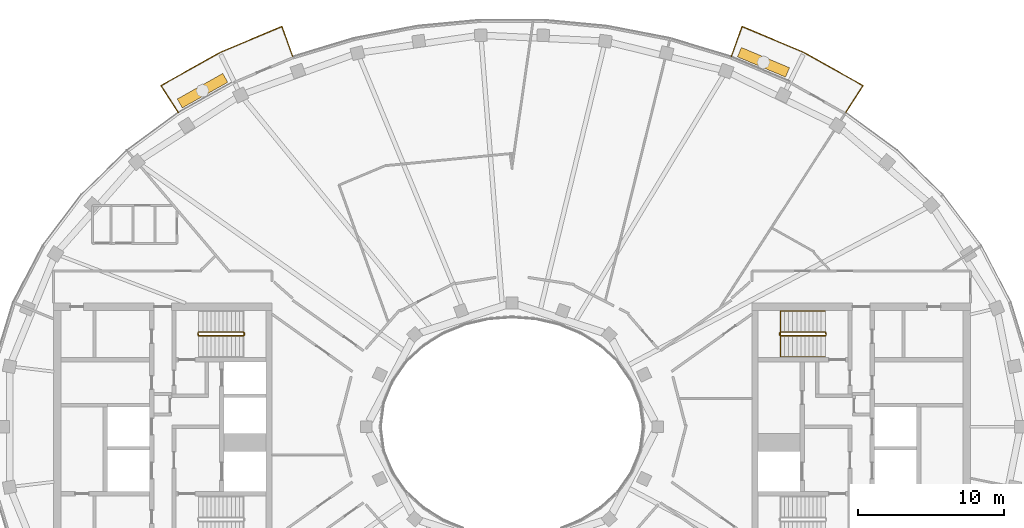
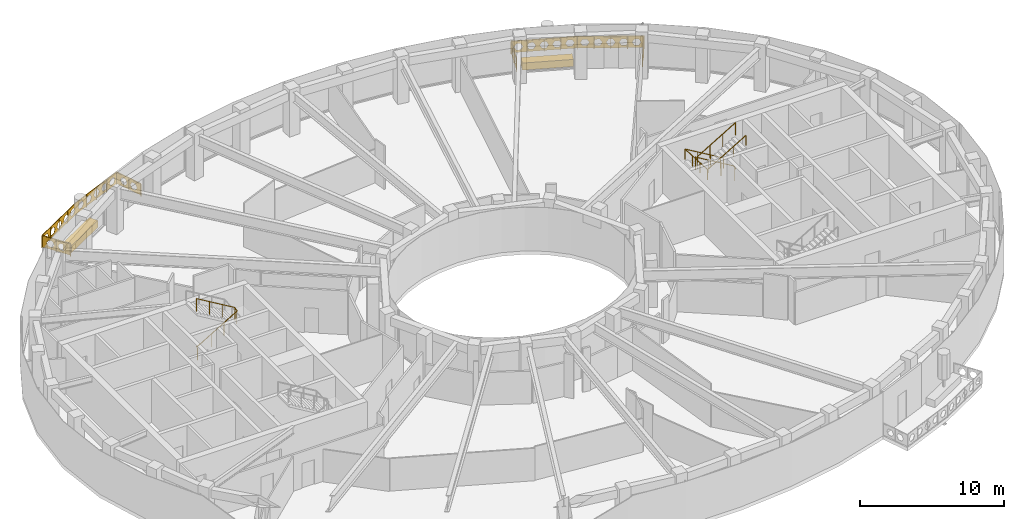
# One storey, part 17 of 18: 5 railings, 2 coverings.
"""IFC4 building model written with IfcOpenShell, lengths in metres."""

import ifcopenshell
import ifcopenshell.guid

model = None  # the IFC model being written
_history = None  # IfcOwnerHistory: only IFC2X3 demands one
_inside = {}  # id of a spatial element -> (the spatial element, [elements in it])
_under = {}  # id of a project, library or spatial element -> (it, [spatial elements below it])
_declared = {}  # id of a project -> (the project, [libraries it declares])
_typed = {}  # id of a type object -> (the type object, [elements of that type])
_made_of = {}  # id of a material, layer set ... -> (it, [elements and type objects made of it])


def new_model(schema):
    """Start an empty IFC model of exactly this schema.

    Asked for "IFC4X3", IfcOpenShell would pick the latest addendum, in which some entities
    have other attributes; the version numbers below select the first issue.
    IFC2X3 requires an IfcOwnerHistory on every rooted entity: one is made here for all.
    """
    global model, _history
    if schema == "IFC4X3":
        model = ifcopenshell.file(schema_version=(4, 3, 0, 0))
    else:
        model = ifcopenshell.file(schema=schema)
    _inside.clear()
    _under.clear()
    _declared.clear()
    _typed.clear()
    _made_of.clear()
    _history = None
    if model.schema == "IFC2X3":
        org = make("IfcOrganization", Name="unknown")
        user = make(
            "IfcPersonAndOrganization",
            ThePerson=make("IfcPerson", FamilyName="unknown"),
            TheOrganization=org,
        )
        app = make(
            "IfcApplication",
            ApplicationDeveloper=org,
            Version="unknown",
            ApplicationFullName="unknown",
            ApplicationIdentifier="unknown",
        )
        _history = make(
            "IfcOwnerHistory",
            OwningUser=user,
            OwningApplication=app,
            ChangeAction="ADDED",
            CreationDate=0,
        )
    return model


def make(cls, **values):
    """One entity of the class cls with the attributes given. An attribute that is None is left unset."""
    return model.create_entity(
        cls, **{name: value for name, value in values.items() if value is not None}
    )


def rooted(cls, **values):
    """An entity with a GlobalId (a new one), such as an element, a storey or a relation."""
    return make(cls, GlobalId=ifcopenshell.guid.new(), OwnerHistory=_history, **values)


def si_unit(unit_type, name, prefix=None):
    """IfcSIUnit, for example si_unit("LENGTHUNIT", "METRE", prefix="MILLI")."""
    return make("IfcSIUnit", UnitType=unit_type, Prefix=prefix, Name=name)


def assignment(units):
    """IfcUnitAssignment: the units of a project."""
    return None if units is None else make("IfcUnitAssignment", Units=units)


def point(xyz):
    """IfcCartesianPoint."""
    return None if xyz is None else make("IfcCartesianPoint", Coordinates=xyz)


def direction(xyz):
    """IfcDirection."""
    return None if xyz is None else make("IfcDirection", DirectionRatios=xyz)


def frame(location, z_axis=None, x_axis=None):
    """IfcAxis2Placement3D, a coordinate frame: its origin and axes. An axis left out is left unset."""
    return make(
        "IfcAxis2Placement3D",
        Location=point(location),
        Axis=direction(z_axis),
        RefDirection=direction(x_axis),
    )


def frame_2d(location, x_axis=None):
    """IfcAxis2Placement2D, a coordinate frame in the plane: its origin and x axis."""
    return make(
        "IfcAxis2Placement2D", Location=point(location), RefDirection=direction(x_axis)
    )


def origin():
    """The frame at (0, 0, 0) with its axes left unset."""
    return frame((0.0, 0.0, 0.0))


def origin_2d():
    """The frame at (0, 0) in the plane with its x axis left unset."""
    return frame_2d((0.0, 0.0))


def place(relative_to, where):
    """IfcLocalPlacement: puts the frame where relative to a parent placement (None: the world)."""
    return make(
        "IfcLocalPlacement", PlacementRelTo=relative_to, RelativePlacement=where
    )


def context(
    kind, dimensions, precision=None, world=None, true_north=None, identifier=None
):
    """IfcGeometricRepresentationContext, for example the 3D "Model" context."""
    return make(
        "IfcGeometricRepresentationContext",
        ContextIdentifier=identifier,
        ContextType=kind,
        CoordinateSpaceDimension=dimensions,
        Precision=precision,
        WorldCoordinateSystem=world,
        TrueNorth=true_north,
    )


def subcontext(parent, identifier, kind, view, scale=None):
    """IfcGeometricRepresentationSubContext, for example "Body" below "Model"."""
    return make(
        "IfcGeometricRepresentationSubContext",
        ContextIdentifier=identifier,
        ContextType=kind,
        ParentContext=parent,
        TargetScale=scale,
        TargetView=view,
    )


def project(units=None, contexts=None):
    """IfcProject with its units and contexts."""
    return rooted(
        "IfcProject",
        Name="project",
        RepresentationContexts=contexts,
        UnitsInContext=assignment(units),
    )


def spatial(cls, under=None, at=None, **own):
    """A site, building, storey or space (cls), placed at a placement, below another one or the project."""
    s = rooted(cls, ObjectPlacement=at, **own)
    if under is not None:
        _under.setdefault(under.id(), (under, []))[1].append(s)
    return s


def polyline(points):
    """IfcPolyline through the points."""
    return make("IfcPolyline", Points=[point(p) for p in points])


def profile(cls, at=None, kind="AREA", **sizes):
    """A parametric profile (cls). Its sizes go by their IFC names, for example OverallWidth=200.0."""
    return make(cls, ProfileType=kind, Position=at, **sizes)


def rectangle(**sizes):
    """IfcRectangleProfileDef."""
    return profile("IfcRectangleProfileDef", **sizes)


def outline(outer, holes=None, kind="AREA"):
    """IfcArbitraryClosedProfileDef: a profile drawn as a closed curve; with holes, ...WithVoids."""
    if holes is None:
        return make("IfcArbitraryClosedProfileDef", ProfileType=kind, OuterCurve=outer)
    return make(
        "IfcArbitraryProfileDefWithVoids",
        ProfileType=kind,
        OuterCurve=outer,
        InnerCurves=holes,
    )


def extrude(swept, where, along, depth):
    """IfcExtrudedAreaSolid: the profile swept, set in the frame where, extruded along a direction by depth."""
    return make(
        "IfcExtrudedAreaSolid",
        SweptArea=swept,
        Position=where,
        ExtrudedDirection=direction(along),
        Depth=depth,
    )


def shape(context_of_items, identifier, shape_type, items):
    """IfcShapeRepresentation: the items that make up one representation, for example the "Body"."""
    return make(
        "IfcShapeRepresentation",
        ContextOfItems=context_of_items,
        RepresentationIdentifier=identifier,
        RepresentationType=shape_type,
        Items=items,
    )


def material(Name=None, Category=None):
    """IfcMaterial."""
    return make("IfcMaterial", Name=Name, Category=Category)


def made_of(thing, what):
    """Note that an element or type object is made of a material, layer set ...; save() writes the relation."""
    if what is not None:
        _made_of.setdefault(what.id(), (what, []))[1].append(thing)
    return thing


def type_object(cls, material=None, **own):
    """A type object (cls), such as IfcWallType, which elements share."""
    return made_of(rooted(cls, **own), material)


def element(
    cls,
    number,
    at=None,
    inside=None,
    cuts=None,
    type_object=None,
    material=None,
    context=None,
    identifier="Body",
    shape_type=None,
    held_by="IfcProductDefinitionShape",
    body=None,
    shapes=None,
    **own,
):
    """One element of the class cls, such as IfcWall. Its Tag is "e" and its number.

    at: its placement. inside: the storey or other place that contains it. cuts: it is an
    opening in that element (IfcRelVoidsElement). A single representation is given by context,
    identifier, shape_type and body (its items); several are given by shapes. held_by: the class
    of the entity that holds the representations. save() writes the other relations.
    """
    e = rooted(cls, Tag="e%d" % number, ObjectPlacement=at, **own)
    if body is not None:
        shapes = [shape(context, identifier, shape_type, body)]
    if shapes is not None:
        e.Representation = make(held_by, Representations=shapes)
    if inside is not None:
        _inside.setdefault(inside.id(), (inside, []))[1].append(e)
    if cuts is not None:
        rooted(
            "IfcRelVoidsElement", RelatingBuildingElement=cuts, RelatedOpeningElement=e
        )
    if type_object is not None:
        _typed.setdefault(type_object.id(), (type_object, []))[1].append(e)
    return made_of(e, material)


def aggregate(whole, parts):
    """IfcRelAggregates: a whole, such as a stair, and the parts it consists of."""
    return rooted("IfcRelAggregates", RelatingObject=whole, RelatedObjects=parts)


def save(model, path):
    """Write the relations noted so far, then the file.

    IfcRelAggregates (storeys below a building ...), IfcRelContainedInSpatialStructure (elements
    in a storey), IfcRelDefinesByType, IfcRelAssociatesMaterial and IfcRelDeclares: one each for
    every whole, place, type object, material and project.
    """
    for whole, parts in _under.values():
        aggregate(whole, parts)
    for where, things in _inside.values():
        rooted(
            "IfcRelContainedInSpatialStructure",
            RelatedElements=things,
            RelatingStructure=where,
        )
    for kind, things in _typed.values():
        rooted("IfcRelDefinesByType", RelatedObjects=things, RelatingType=kind)
    for what, things in _made_of.values():
        rooted("IfcRelAssociatesMaterial", RelatedObjects=things, RelatingMaterial=what)
    for by, libraries in _declared.values():
        rooted("IfcRelDeclares", RelatingContext=by, RelatedDefinitions=libraries)
    model.write(path)


model = new_model("IFC4")

# Units and contexts
model_context = context("Model", 3, precision=1e-05, world=origin(), true_north=direction((0.0, 1.0)))
body_context = subcontext(model_context, "Body", "Model", "MODEL_VIEW")
ifc_project = project(units=[si_unit("LENGTHUNIT", "METRE"), si_unit("AREAUNIT", "SQUARE_METRE"), si_unit("VOLUMEUNIT", "CUBIC_METRE"), si_unit("PLANEANGLEUNIT", "RADIAN"), si_unit("MASSUNIT", "GRAM", prefix="KILO")], contexts=[model_context])

# Site, building, storey
site_placement = place(None, origin())
site = spatial("IfcSite", under=ifc_project, at=site_placement, CompositionType="ELEMENT")
building_placement = place(site_placement, origin())
building = spatial("IfcBuilding", under=site, at=building_placement, Name="Noorbagh Ring Tower", CompositionType="ELEMENT")
storey_placement = place(building_placement, frame((0.0, 0.0, 319.0)))
storey = spatial("IfcBuildingStorey", under=building, at=storey_placement, Name="L69", CompositionType="ELEMENT", Elevation=319.0)

# Railings
ifc_material_1 = material(Name="Stainless steel", Category="steel")
railing_type_1 = type_object("IfcRailingType", Name="CORE-STAIR-GUARD", PredefinedType="GUARDRAIL", material=ifc_material_1)
railing_1_placement = place(storey_placement, frame((-21.580078125, 6.300048828125, 0.0)))
element("IfcRailing", 1, at=railing_1_placement, inside=storey, type_object=railing_type_1, Name="L69 ST1 stair guard", PredefinedType="GUARDRAIL", context=body_context, shape_type="SweptSolid", body=[
    extrude(rectangle(XDim=0.048095703125, YDim=0.048095703125, at=origin_2d()), frame((0.0, 0.0, 1.076171875), z_axis=(0.0, 1.0, 0.0), x_axis=(-1.0, 0.0, 0.0)), (0.0, 0.0, 1.0), 0.14990234375),
    extrude(rectangle(XDim=0.048095703125, YDim=0.048095703125, at=origin_2d()), frame((0.0, 0.14990234375, 1.076171875), z_axis=(0.188775798145, -0.754182335027, 0.628945707965), x_axis=(0.970072785993, 0.242814311512, 0.0)), (0.0, 0.0, 1.0), 0.26513671875),
    extrude(rectangle(XDim=0.048095703125, YDim=0.048095703125, at=origin_2d()), frame((0.050048828125, -0.050048828125, 1.24267578125), z_axis=(0.859308565015, 0.0, 0.511457515432), x_axis=(0.0, 1.0, 0.0)), (0.0, 0.0, 1.0), 3.58447265625),
    extrude(rectangle(XDim=0.048095703125, YDim=0.048095703125, at=origin_2d()), frame((3.130126953125, -0.050048828125, 3.076171875), z_axis=(0.707106781187, 0.707106781187, 0.0), x_axis=(-0.707106781187, 0.707106781187, 0.0)), (0.0, 0.0, 1.0), 0.07080078125),
    extrude(rectangle(XDim=0.048095703125, YDim=0.048095703125, at=origin_2d()), frame((3.18017578125, 0.0, 3.076171875), z_axis=(0.0, 1.0, 0.0), x_axis=(-1.0, 0.0, 0.0)), (0.0, 0.0, 1.0), 0.14990234375),
    extrude(rectangle(XDim=0.048095703125, YDim=0.048095703125, at=origin_2d()), frame((3.18017578125, 0.14990234375, 3.076171875), z_axis=(-0.27628659633, 0.27628659633, 0.920506074601), x_axis=(-0.707106781187, -0.707106781187, 0.0)), (0.0, 0.0, 1.0), 0.18115234375),
    extrude(rectangle(XDim=0.048095703125, YDim=0.048095703125, at=origin_2d()), frame((3.130126953125, 0.199951171875, 3.24267578125), z_axis=(-0.859308565015, 0.0, 0.511457515432), x_axis=(0.0, -1.0, 0.0)), (0.0, 0.0, 1.0), 3.58447265625),
    extrude(rectangle(XDim=0.0419921875, YDim=0.0419921875, at=origin_2d()), origin(), (0.0, 0.0, 1.0), 1.052001953125),
    extrude(rectangle(XDim=0.0419921875, YDim=0.0419921875, at=origin_2d()), frame((1.07666015625, -0.050048828125, 0.77783203125)), (0.0, 0.0, 1.0), 1.052001953125),
    extrude(rectangle(XDim=0.0419921875, YDim=0.0419921875, at=origin_2d()), frame((2.103515625, -0.050048828125, 1.388916015625)), (0.0, 0.0, 1.0), 1.052001953125),
    extrude(rectangle(XDim=0.0419921875, YDim=0.0419921875, at=origin_2d()), frame((3.130126953125, -0.050048828125, 2.0)), (0.0, 0.0, 1.0), 1.052001953125),
    extrude(rectangle(XDim=0.0419921875, YDim=0.0419921875, at=origin_2d()), frame((3.130126953125, 0.199951171875, 2.166748046875)), (0.0, 0.0, 1.0), 1.052001953125),
    extrude(rectangle(XDim=0.0419921875, YDim=0.0419921875, at=origin_2d()), frame((2.103515625, 0.199951171875, 2.77783203125)), (0.0, 0.0, 1.0), 1.052001953125),
    extrude(rectangle(XDim=0.0419921875, YDim=0.0419921875, at=origin_2d()), frame((1.07666015625, 0.199951171875, 3.388916015625)), (0.0, 0.0, 1.0), 1.052001953125),
    extrude(rectangle(XDim=0.0419921875, YDim=0.0419921875, at=origin_2d()), frame((0.050048828125, 0.199951171875, 4.0)), (0.0, 0.0, 1.0), 1.052001953125),
])
railing_2_placement = place(storey_placement, frame((21.580078125, 6.449951171875, 0.0)))
element("IfcRailing", 2, at=railing_2_placement, inside=storey, type_object=railing_type_1, Name="L69 ST3 stair guard", PredefinedType="GUARDRAIL", context=body_context, shape_type="SweptSolid", body=[
    extrude(rectangle(XDim=0.048095703125, YDim=0.048095703125, at=origin_2d()), frame((0.0, 0.0, 1.076171875), z_axis=(0.0, -1.0, 0.0), x_axis=(1.0, 0.0, 0.0)), (0.0, 0.0, 1.0), 0.14990234375),
    extrude(rectangle(XDim=0.048095703125, YDim=0.048095703125, at=origin_2d()), frame((0.0, -0.14990234375, 1.076171875), z_axis=(-0.188775798145, 0.754182335027, 0.628945707965), x_axis=(-0.970072785993, -0.242814311512, 0.0)), (0.0, 0.0, 1.0), 0.26513671875),
    extrude(rectangle(XDim=0.048095703125, YDim=0.048095703125, at=origin_2d()), frame((-0.050048828125, 0.050048828125, 1.24267578125), z_axis=(-0.859308565015, 0.0, 0.511457515432), x_axis=(0.0, -1.0, 0.0)), (0.0, 0.0, 1.0), 3.58447265625),
    extrude(rectangle(XDim=0.048095703125, YDim=0.048095703125, at=origin_2d()), frame((-3.130126953125, 0.050048828125, 3.076171875), z_axis=(-0.707106781187, -0.707106781187, 0.0), x_axis=(0.707106781187, -0.707106781187, 0.0)), (0.0, 0.0, 1.0), 0.07080078125),
    extrude(rectangle(XDim=0.048095703125, YDim=0.048095703125, at=origin_2d()), frame((-3.18017578125, 0.0, 3.076171875), z_axis=(0.0, -1.0, 0.0), x_axis=(1.0, 0.0, 0.0)), (0.0, 0.0, 1.0), 0.14990234375),
    extrude(rectangle(XDim=0.048095703125, YDim=0.048095703125, at=origin_2d()), frame((-3.18017578125, -0.14990234375, 3.076171875), z_axis=(0.27628659633, -0.27628659633, 0.920506074601), x_axis=(0.707106781187, 0.707106781187, 0.0)), (0.0, 0.0, 1.0), 0.18115234375),
    extrude(rectangle(XDim=0.048095703125, YDim=0.048095703125, at=origin_2d()), frame((-3.130126953125, -0.199951171875, 3.24267578125), z_axis=(0.859308565015, 0.0, 0.511457515432), x_axis=(0.0, 1.0, 0.0)), (0.0, 0.0, 1.0), 3.58447265625),
    extrude(rectangle(XDim=0.0419921875, YDim=0.0419921875, at=origin_2d()), origin(), (0.0, 0.0, 1.0), 1.052001953125),
    extrude(rectangle(XDim=0.0419921875, YDim=0.0419921875, at=origin_2d()), frame((-1.07666015625, 0.050048828125, 0.77783203125)), (0.0, 0.0, 1.0), 1.052001953125),
    extrude(rectangle(XDim=0.0419921875, YDim=0.0419921875, at=origin_2d()), frame((-2.103515625, 0.050048828125, 1.388916015625)), (0.0, 0.0, 1.0), 1.052001953125),
    extrude(rectangle(XDim=0.0419921875, YDim=0.0419921875, at=origin_2d()), frame((-3.130126953125, 0.050048828125, 2.0)), (0.0, 0.0, 1.0), 1.052001953125),
    extrude(rectangle(XDim=0.0419921875, YDim=0.0419921875, at=origin_2d()), frame((-3.130126953125, -0.199951171875, 2.166748046875)), (0.0, 0.0, 1.0), 1.052001953125),
    extrude(rectangle(XDim=0.0419921875, YDim=0.0419921875, at=origin_2d()), frame((-2.103515625, -0.199951171875, 2.77783203125)), (0.0, 0.0, 1.0), 1.052001953125),
    extrude(rectangle(XDim=0.0419921875, YDim=0.0419921875, at=origin_2d()), frame((-1.07666015625, -0.199951171875, 3.388916015625)), (0.0, 0.0, 1.0), 1.052001953125),
    extrude(rectangle(XDim=0.0419921875, YDim=0.0419921875, at=origin_2d()), frame((-0.050048828125, -0.199951171875, 4.0)), (0.0, 0.0, 1.0), 1.052001953125),
])
ifc_material_2 = material(Name="Stainless steel", Category="steel")
railing_type_2 = type_object("IfcRailingType", Name="CORE-STAIR-HANDRAIL", PredefinedType="HANDRAIL", material=ifc_material_2)
railing_3_placement = place(storey_placement, frame((21.530029296875, 7.949951171875, 0.166748046875)))
element("IfcRailing", 3, at=railing_3_placement, inside=storey, type_object=railing_type_2, Name="L69 ST3 stair handrail", PredefinedType="HANDRAIL", context=body_context, shape_type="SweptSolid", body=[
    extrude(rectangle(XDim=0.048095703125, YDim=0.048095703125, at=origin_2d()), frame((0.0, 0.0, 0.8759765625), z_axis=(-0.859308565015, 0.0, 0.511457515432), x_axis=(0.0, -1.0, 0.0)), (0.0, 0.0, 1.0), 3.58447265625),
    extrude(rectangle(XDim=0.048095703125, YDim=0.048095703125, at=origin_2d()), frame((-3.080078125, 0.0, 2.708984375), z_axis=(0.0, -0.998601747152, 0.052863509014), x_axis=(1.0, 0.0, 0.0)), (0.0, 0.0, 1.0), 3.154296875),
    extrude(rectangle(XDim=0.048095703125, YDim=0.048095703125, at=origin_2d()), frame((-3.080078125, -3.14990234375, 2.8759765625), z_axis=(0.859308565015, 0.0, 0.511457515432), x_axis=(0.0, 1.0, 0.0)), (0.0, 0.0, 1.0), 3.58447265625),
    extrude(rectangle(XDim=0.0419921875, YDim=0.0419921875, at=origin_2d()), origin(), (0.0, 0.0, 1.0), 0.851806640625),
    extrude(rectangle(XDim=0.0419921875, YDim=0.0419921875, at=origin_2d()), frame((-1.026611328125, 0.0, 0.611083984375)), (0.0, 0.0, 1.0), 0.851806640625),
    extrude(rectangle(XDim=0.0419921875, YDim=0.0419921875, at=origin_2d()), frame((-2.053466796875, 0.0, 1.22216796875)), (0.0, 0.0, 1.0), 0.851806640625),
    extrude(rectangle(XDim=0.0419921875, YDim=0.0419921875, at=origin_2d()), frame((-3.080078125, 0.0, 1.833251953125)), (0.0, 0.0, 1.0), 0.851806640625),
    extrude(rectangle(XDim=0.0419921875, YDim=0.0419921875, at=origin_2d()), frame((-3.080078125, -1.050048828125, 1.888916015625)), (0.0, 0.0, 1.0), 0.851806640625),
    extrude(rectangle(XDim=0.0419921875, YDim=0.0419921875, at=origin_2d()), frame((-3.080078125, -2.099853515625, 1.9443359375)), (0.0, 0.0, 1.0), 0.851806640625),
    extrude(rectangle(XDim=0.0419921875, YDim=0.0419921875, at=origin_2d()), frame((-3.080078125, -3.14990234375, 2.0)), (0.0, 0.0, 1.0), 0.851806640625),
    extrude(rectangle(XDim=0.0419921875, YDim=0.0419921875, at=origin_2d()), frame((-2.053466796875, -3.14990234375, 2.611083984375)), (0.0, 0.0, 1.0), 0.851806640625),
    extrude(rectangle(XDim=0.0419921875, YDim=0.0419921875, at=origin_2d()), frame((-1.026611328125, -3.14990234375, 3.22216796875)), (0.0, 0.0, 1.0), 0.851806640625),
    extrude(rectangle(XDim=0.0419921875, YDim=0.0419921875, at=origin_2d()), frame((0.0, -3.14990234375, 3.833251953125)), (0.0, 0.0, 1.0), 0.851806640625),
])
ifc_material_3 = material(Name="Steel S275 black powder-coated", Category="steel")
railing_type_3 = type_object("IfcRailingType", Name="ENV-GUARD", PredefinedType="GUARDRAIL", material=ifc_material_3)
railing_4_placement = place(storey_placement, frame((22.9326171875, 21.583740234375, 0.0)))
element("IfcRailing", 4, at=railing_4_placement, inside=storey, type_object=railing_type_3, Name="Balcony guard BN02", PredefinedType="GUARDRAIL", context=body_context, shape_type="SweptSolid", body=[
    extrude(rectangle(XDim=0.048095703125, YDim=0.048095703125, at=origin_2d()), frame((0.0, 0.0, 1.076171875), z_axis=(0.542268136821, 0.840205491406, 0.0), x_axis=(-0.840205491406, 0.542268136821, 0.0)), (0.0, 0.0, 1.0), 2.204345703125),
    extrude(rectangle(XDim=0.048095703125, YDim=0.048095703125, at=origin_2d()), frame((1.1953125, 1.85205078125, 1.076171875), z_axis=(-0.872052247658, 0.489412788303, 0.0), x_axis=(-0.489412788303, -0.872052247658, 0.0)), (0.0, 0.0, 1.0), 4.646240234375),
    extrude(rectangle(XDim=0.048095703125, YDim=0.048095703125, at=origin_2d()), frame((-2.8564453125, 4.1259765625, 1.076171875), z_axis=(-0.921809087722, 0.387644174203, 0.0), x_axis=(-0.387644174203, -0.921809087722, 0.0)), (0.0, 0.0, 1.0), 4.627197265625),
    extrude(rectangle(XDim=0.048095703125, YDim=0.048095703125, at=origin_2d()), frame((-7.121826171875, 5.919677734375, 1.076171875), z_axis=(-0.338350546839, -0.941020141896, 0.0), x_axis=(0.941020141896, -0.338350546839, 0.0)), (0.0, 0.0, 1.0), 2.202880859375),
    extrude(rectangle(XDim=0.0419921875, YDim=0.0419921875, at=origin_2d()), origin(), (0.0, 0.0, 1.0), 1.052001953125),
    extrude(rectangle(XDim=0.0419921875, YDim=0.0419921875, at=origin_2d()), frame((0.59765625, 0.926025390625, 0.0)), (0.0, 0.0, 1.0), 1.052001953125),
    extrude(rectangle(XDim=0.0419921875, YDim=0.0419921875, at=origin_2d()), frame((1.1953125, 1.85205078125, 0.0)), (0.0, 0.0, 1.0), 1.052001953125),
    extrude(rectangle(XDim=0.0419921875, YDim=0.0419921875, at=origin_2d()), frame((0.182373046875, 2.42041015625, 0.0)), (0.0, 0.0, 1.0), 1.052001953125),
    extrude(rectangle(XDim=0.0419921875, YDim=0.0419921875, at=origin_2d()), frame((-0.83056640625, 2.989013671875, 0.0)), (0.0, 0.0, 1.0), 1.052001953125),
    extrude(rectangle(XDim=0.0419921875, YDim=0.0419921875, at=origin_2d()), frame((-1.843505859375, 3.5576171875, 0.0)), (0.0, 0.0, 1.0), 1.052001953125),
    extrude(rectangle(XDim=0.0419921875, YDim=0.0419921875, at=origin_2d()), frame((-2.8564453125, 4.1259765625, 0.0)), (0.0, 0.0, 1.0), 1.052001953125),
    extrude(rectangle(XDim=0.0419921875, YDim=0.0419921875, at=origin_2d()), frame((-3.9228515625, 4.574462890625, 0.0)), (0.0, 0.0, 1.0), 1.052001953125),
    extrude(rectangle(XDim=0.0419921875, YDim=0.0419921875, at=origin_2d()), frame((-4.9892578125, 5.02294921875, 0.0)), (0.0, 0.0, 1.0), 1.052001953125),
    extrude(rectangle(XDim=0.0419921875, YDim=0.0419921875, at=origin_2d()), frame((-6.055419921875, 5.47119140625, 0.0)), (0.0, 0.0, 1.0), 1.052001953125),
    extrude(rectangle(XDim=0.0419921875, YDim=0.0419921875, at=origin_2d()), frame((-7.121826171875, 5.919677734375, 0.0)), (0.0, 0.0, 1.0), 1.052001953125),
    extrude(rectangle(XDim=0.0419921875, YDim=0.0419921875, at=origin_2d()), frame((-7.49462890625, 4.88330078125, 0.0)), (0.0, 0.0, 1.0), 1.052001953125),
    extrude(rectangle(XDim=0.0419921875, YDim=0.0419921875, at=origin_2d()), frame((-7.8671875, 3.8466796875, 0.0)), (0.0, 0.0, 1.0), 1.052001953125),
    extrude(outline(polyline([(0.0, 0.10009765625), (2.204345703125, 0.10009765625), (2.204345703125, 1.031982421875), (0.0, 1.031982421875), (0.0, 0.10009765625)]), holes=[polyline([(0.962158203125, 0.56591796875), (0.80712890625, 0.83447265625), (0.4970703125, 0.83447265625), (0.342041015625, 0.56591796875), (0.4970703125, 0.297607421875), (0.80712890625, 0.297607421875), (0.962158203125, 0.56591796875)]), polyline([(1.862060546875, 0.56591796875), (1.70703125, 0.83447265625), (1.397216796875, 0.83447265625), (1.2421875, 0.56591796875), (1.397216796875, 0.297607421875), (1.70703125, 0.297607421875), (1.862060546875, 0.56591796875)])]), frame((-0.00830078125, 0.00537109375, 0.0), z_axis=(0.840205491406, -0.542268136821, 0.0), x_axis=(0.542268136821, 0.840205491406, 0.0)), (0.0, 0.0, 1.0), 0.02001953125),
    extrude(outline(polyline([(0.0, 0.10009765625), (4.646240234375, 0.10009765625), (4.646240234375, 1.031982421875), (0.0, 1.031982421875), (0.0, 0.10009765625)]), holes=[polyline([(0.8330078125, 0.56591796875), (0.67822265625, 0.83447265625), (0.3681640625, 0.83447265625), (0.213134765625, 0.56591796875), (0.3681640625, 0.297607421875), (0.67822265625, 0.297607421875), (0.8330078125, 0.56591796875)]), polyline([(1.733154296875, 0.56591796875), (1.578125, 0.83447265625), (1.26806640625, 0.83447265625), (1.113037109375, 0.56591796875), (1.26806640625, 0.297607421875), (1.578125, 0.297607421875), (1.733154296875, 0.56591796875)]), polyline([(2.633056640625, 0.56591796875), (2.47802734375, 0.83447265625), (2.168212890625, 0.83447265625), (2.01318359375, 0.56591796875), (2.168212890625, 0.297607421875), (2.47802734375, 0.297607421875), (2.633056640625, 0.56591796875)]), polyline([(3.533203125, 0.56591796875), (3.378173828125, 0.83447265625), (3.068115234375, 0.83447265625), (2.9130859375, 0.56591796875), (3.068115234375, 0.297607421875), (3.378173828125, 0.297607421875), (3.533203125, 0.56591796875)]), polyline([(4.43310546875, 0.56591796875), (4.278076171875, 0.83447265625), (3.968017578125, 0.83447265625), (3.813232421875, 0.56591796875), (3.968017578125, 0.297607421875), (4.278076171875, 0.297607421875), (4.43310546875, 0.56591796875)])]), frame((1.1904296875, 1.84326171875, 0.0), z_axis=(0.489412788303, 0.872052247658, 0.0), x_axis=(-0.872052247658, 0.489412788303, 0.0)), (0.0, 0.0, 1.0), 0.02001953125),
    extrude(outline(polyline([(0.0, 0.10009765625), (4.627197265625, 0.10009765625), (4.627197265625, 1.031982421875), (0.0, 1.031982421875), (0.0, 0.10009765625)]), holes=[polyline([(0.823486328125, 0.56591796875), (0.668701171875, 0.83447265625), (0.358642578125, 0.83447265625), (0.20361328125, 0.56591796875), (0.358642578125, 0.297607421875), (0.668701171875, 0.297607421875), (0.823486328125, 0.56591796875)]), polyline([(1.7236328125, 0.56591796875), (1.568603515625, 0.83447265625), (1.258544921875, 0.83447265625), (1.103515625, 0.56591796875), (1.258544921875, 0.297607421875), (1.568603515625, 0.297607421875), (1.7236328125, 0.56591796875)]), polyline([(2.62353515625, 0.56591796875), (2.468505859375, 0.83447265625), (2.15869140625, 0.83447265625), (2.003662109375, 0.56591796875), (2.15869140625, 0.297607421875), (2.468505859375, 0.297607421875), (2.62353515625, 0.56591796875)]), polyline([(3.523681640625, 0.56591796875), (3.36865234375, 0.83447265625), (3.05859375, 0.83447265625), (2.903564453125, 0.56591796875), (3.05859375, 0.297607421875), (3.36865234375, 0.297607421875), (3.523681640625, 0.56591796875)]), polyline([(4.423583984375, 0.56591796875), (4.2685546875, 0.83447265625), (3.95849609375, 0.83447265625), (3.8037109375, 0.56591796875), (3.95849609375, 0.297607421875), (4.2685546875, 0.297607421875), (4.423583984375, 0.56591796875)])]), frame((-2.8603515625, 4.11669921875, 0.0), z_axis=(0.387644174203, 0.921809087722, 0.0), x_axis=(-0.921809087722, 0.387644174203, 0.0)), (0.0, 0.0, 1.0), 0.02001953125),
    extrude(outline(polyline([(0.0, 0.10009765625), (2.202880859375, 0.10009765625), (2.202880859375, 1.031982421875), (0.0, 1.031982421875), (0.0, 0.10009765625)]), holes=[polyline([(0.96142578125, 0.56591796875), (0.806396484375, 0.83447265625), (0.49658203125, 0.83447265625), (0.341552734375, 0.56591796875), (0.49658203125, 0.297607421875), (0.806396484375, 0.297607421875), (0.96142578125, 0.56591796875)]), polyline([(1.861572265625, 0.56591796875), (1.70654296875, 0.83447265625), (1.396484375, 0.83447265625), (1.241455078125, 0.56591796875), (1.396484375, 0.297607421875), (1.70654296875, 0.297607421875), (1.861572265625, 0.56591796875)])]), frame((-7.1123046875, 5.916259765625, 0.0), z_axis=(-0.941020141896, 0.338350546839, 0.0), x_axis=(-0.338350546839, -0.941020141896, 0.0)), (0.0, 0.0, 1.0), 0.02001953125),
])
railing_5_placement = place(storey_placement, frame((-15.0654296875, 25.430419921875, 0.0)))
element("IfcRailing", 5, at=railing_5_placement, inside=storey, type_object=railing_type_3, Name="Balcony guard BN05", PredefinedType="GUARDRAIL", context=body_context, shape_type="SweptSolid", body=[
    extrude(rectangle(XDim=0.048095703125, YDim=0.048095703125, at=origin_2d()), frame((0.0, 0.0, 1.076171875), z_axis=(-0.338350546839, 0.941020141896, 0.0), x_axis=(-0.941020141896, -0.338350546839, 0.0)), (0.0, 0.0, 1.0), 2.202880859375),
    extrude(rectangle(XDim=0.048095703125, YDim=0.048095703125, at=origin_2d()), frame((-0.745361328125, 2.072998046875, 1.076171875), z_axis=(-0.921809087722, -0.387644174203, 0.0), x_axis=(0.387644174203, -0.921809087722, 0.0)), (0.0, 0.0, 1.0), 4.627197265625),
    extrude(rectangle(XDim=0.048095703125, YDim=0.048095703125, at=origin_2d()), frame((-5.0107421875, 0.279296875, 1.076171875), z_axis=(-0.872052247658, -0.489412788303, 0.0), x_axis=(0.489412788303, -0.872052247658, 0.0)), (0.0, 0.0, 1.0), 4.646240234375),
    extrude(rectangle(XDim=0.048095703125, YDim=0.048095703125, at=origin_2d()), frame((-9.0625, -1.99462890625, 1.076171875), z_axis=(0.542268136821, -0.840205491406, 0.0), x_axis=(0.840205491406, 0.542268136821, 0.0)), (0.0, 0.0, 1.0), 2.204345703125),
    extrude(rectangle(XDim=0.0419921875, YDim=0.0419921875, at=origin_2d()), origin(), (0.0, 0.0, 1.0), 1.052001953125),
    extrude(rectangle(XDim=0.0419921875, YDim=0.0419921875, at=origin_2d()), frame((-0.37255859375, 1.03662109375, 0.0)), (0.0, 0.0, 1.0), 1.052001953125),
    extrude(rectangle(XDim=0.0419921875, YDim=0.0419921875, at=origin_2d()), frame((-0.745361328125, 2.072998046875, 0.0)), (0.0, 0.0, 1.0), 1.052001953125),
    extrude(rectangle(XDim=0.0419921875, YDim=0.0419921875, at=origin_2d()), frame((-1.811767578125, 1.62451171875, 0.0)), (0.0, 0.0, 1.0), 1.052001953125),
    extrude(rectangle(XDim=0.0419921875, YDim=0.0419921875, at=origin_2d()), frame((-2.8779296875, 1.17626953125, 0.0)), (0.0, 0.0, 1.0), 1.052001953125),
    extrude(rectangle(XDim=0.0419921875, YDim=0.0419921875, at=origin_2d()), frame((-3.9443359375, 0.727783203125, 0.0)), (0.0, 0.0, 1.0), 1.052001953125),
    extrude(rectangle(XDim=0.0419921875, YDim=0.0419921875, at=origin_2d()), frame((-5.0107421875, 0.279296875, 0.0)), (0.0, 0.0, 1.0), 1.052001953125),
    extrude(rectangle(XDim=0.0419921875, YDim=0.0419921875, at=origin_2d()), frame((-6.023681640625, -0.2890625, 0.0)), (0.0, 0.0, 1.0), 1.052001953125),
    extrude(rectangle(XDim=0.0419921875, YDim=0.0419921875, at=origin_2d()), frame((-7.03662109375, -0.857666015625, 0.0)), (0.0, 0.0, 1.0), 1.052001953125),
    extrude(rectangle(XDim=0.0419921875, YDim=0.0419921875, at=origin_2d()), frame((-8.049560546875, -1.42626953125, 0.0)), (0.0, 0.0, 1.0), 1.052001953125),
    extrude(rectangle(XDim=0.0419921875, YDim=0.0419921875, at=origin_2d()), frame((-9.0625, -1.99462890625, 0.0)), (0.0, 0.0, 1.0), 1.052001953125),
    extrude(rectangle(XDim=0.0419921875, YDim=0.0419921875, at=origin_2d()), frame((-8.46484375, -2.920654296875, 0.0)), (0.0, 0.0, 1.0), 1.052001953125),
    extrude(rectangle(XDim=0.0419921875, YDim=0.0419921875, at=origin_2d()), frame((-7.8671875, -3.8466796875, 0.0)), (0.0, 0.0, 1.0), 1.052001953125),
    extrude(outline(polyline([(0.0, 0.10009765625), (2.202880859375, 0.10009765625), (2.202880859375, 1.031982421875), (0.0, 1.031982421875), (0.0, 0.10009765625)]), holes=[polyline([(0.96142578125, 0.56591796875), (0.806396484375, 0.83447265625), (0.49658203125, 0.83447265625), (0.341552734375, 0.56591796875), (0.49658203125, 0.297607421875), (0.806396484375, 0.297607421875), (0.96142578125, 0.56591796875)]), polyline([(1.861572265625, 0.56591796875), (1.70654296875, 0.83447265625), (1.396484375, 0.83447265625), (1.241455078125, 0.56591796875), (1.396484375, 0.297607421875), (1.70654296875, 0.297607421875), (1.861572265625, 0.56591796875)])]), frame((-0.009521484375, -0.00341796875, 0.0), z_axis=(0.941020141896, 0.338350546839, 0.0), x_axis=(-0.338350546839, 0.941020141896, 0.0)), (0.0, 0.0, 1.0), 0.02001953125),
    extrude(outline(polyline([(0.0, 0.10009765625), (4.627197265625, 0.10009765625), (4.627197265625, 1.031982421875), (0.0, 1.031982421875), (0.0, 0.10009765625)]), holes=[polyline([(0.823486328125, 0.56591796875), (0.668701171875, 0.83447265625), (0.358642578125, 0.83447265625), (0.20361328125, 0.56591796875), (0.358642578125, 0.297607421875), (0.668701171875, 0.297607421875), (0.823486328125, 0.56591796875)]), polyline([(1.7236328125, 0.56591796875), (1.568603515625, 0.83447265625), (1.258544921875, 0.83447265625), (1.103515625, 0.56591796875), (1.258544921875, 0.297607421875), (1.568603515625, 0.297607421875), (1.7236328125, 0.56591796875)]), polyline([(2.62353515625, 0.56591796875), (2.468505859375, 0.83447265625), (2.15869140625, 0.83447265625), (2.003662109375, 0.56591796875), (2.15869140625, 0.297607421875), (2.468505859375, 0.297607421875), (2.62353515625, 0.56591796875)]), polyline([(3.523681640625, 0.56591796875), (3.36865234375, 0.83447265625), (3.05859375, 0.83447265625), (2.903564453125, 0.56591796875), (3.05859375, 0.297607421875), (3.36865234375, 0.297607421875), (3.523681640625, 0.56591796875)]), polyline([(4.423583984375, 0.56591796875), (4.2685546875, 0.83447265625), (3.95849609375, 0.83447265625), (3.8037109375, 0.56591796875), (3.95849609375, 0.297607421875), (4.2685546875, 0.297607421875), (4.423583984375, 0.56591796875)])]), frame((-0.741455078125, 2.063720703125, 0.0), z_axis=(-0.387644174203, 0.921809087722, 0.0), x_axis=(-0.921809087722, -0.387644174203, 0.0)), (0.0, 0.0, 1.0), 0.02001953125),
    extrude(outline(polyline([(0.0, 0.10009765625), (4.646240234375, 0.10009765625), (4.646240234375, 1.031982421875), (0.0, 1.031982421875), (0.0, 0.10009765625)]), holes=[polyline([(0.8330078125, 0.56591796875), (0.67822265625, 0.83447265625), (0.3681640625, 0.83447265625), (0.213134765625, 0.56591796875), (0.3681640625, 0.297607421875), (0.67822265625, 0.297607421875), (0.8330078125, 0.56591796875)]), polyline([(1.733154296875, 0.56591796875), (1.578125, 0.83447265625), (1.26806640625, 0.83447265625), (1.113037109375, 0.56591796875), (1.26806640625, 0.297607421875), (1.578125, 0.297607421875), (1.733154296875, 0.56591796875)]), polyline([(2.633056640625, 0.56591796875), (2.47802734375, 0.83447265625), (2.168212890625, 0.83447265625), (2.01318359375, 0.56591796875), (2.168212890625, 0.297607421875), (2.47802734375, 0.297607421875), (2.633056640625, 0.56591796875)]), polyline([(3.533203125, 0.56591796875), (3.378173828125, 0.83447265625), (3.068115234375, 0.83447265625), (2.9130859375, 0.56591796875), (3.068115234375, 0.297607421875), (3.378173828125, 0.297607421875), (3.533203125, 0.56591796875)]), polyline([(4.43310546875, 0.56591796875), (4.278076171875, 0.83447265625), (3.968017578125, 0.83447265625), (3.813232421875, 0.56591796875), (3.968017578125, 0.297607421875), (4.278076171875, 0.297607421875), (4.43310546875, 0.56591796875)])]), frame((-5.005859375, 0.2705078125, 0.0), z_axis=(-0.489412788303, 0.872052247658, 0.0), x_axis=(-0.872052247658, -0.489412788303, 0.0)), (0.0, 0.0, 1.0), 0.02001953125),
    extrude(outline(polyline([(0.0, 0.10009765625), (2.204345703125, 0.10009765625), (2.204345703125, 1.031982421875), (0.0, 1.031982421875), (0.0, 0.10009765625)]), holes=[polyline([(0.962158203125, 0.56591796875), (0.80712890625, 0.83447265625), (0.4970703125, 0.83447265625), (0.342041015625, 0.56591796875), (0.4970703125, 0.297607421875), (0.80712890625, 0.297607421875), (0.962158203125, 0.56591796875)]), polyline([(1.862060546875, 0.56591796875), (1.70703125, 0.83447265625), (1.397216796875, 0.83447265625), (1.2421875, 0.56591796875), (1.397216796875, 0.297607421875), (1.70703125, 0.297607421875), (1.862060546875, 0.56591796875)])]), frame((-9.05419921875, -1.9892578125, 0.0), z_axis=(-0.840205491406, -0.542268136821, 0.0), x_axis=(0.542268136821, -0.840205491406, 0.0)), (0.0, 0.0, 1.0), 0.02001953125),
])

# Coverings
ifc_material_4 = material(Name="Concrete C30/37 planter with soil", Category="concrete")
covering_type = type_object("IfcCoveringType", Name="ENV-PLANTER", PredefinedType="CLADDING", material=ifc_material_4)
covering_1_placement = place(storey_placement, frame((17.280517578125, 25.041259765625, 0.0), z_axis=(0.0, 0.0, 1.0), x_axis=(-0.921811566494, 0.387638279686, 0.0)))
element("IfcCovering", 6, at=covering_1_placement, inside=storey, type_object=covering_type, Name="PLANTER BN02", ObjectType="PLANTER", PredefinedType="CLADDING", context=body_context, shape_type="SweptSolid", body=[
    extrude(rectangle(XDim=3.5859375, YDim=0.699951171875, at=origin_2d()), origin(), (0.0, 0.0, 1.0), 0.60009765625),
])
covering_2_placement = place(storey_placement, frame((-21.26513671875, 23.093017578125, 0.0), z_axis=(0.0, 0.0, 1.0), x_axis=(-0.872044586249, -0.48942643941, 0.0)))
element("IfcCovering", 7, at=covering_2_placement, inside=storey, type_object=covering_type, Name="PLANTER BN05", ObjectType="PLANTER", PredefinedType="CLADDING", context=body_context, shape_type="SweptSolid", body=[
    extrude(rectangle(XDim=3.58544921875, YDim=0.699951171875, at=origin_2d()), origin(), (0.0, 0.0, 1.0), 0.60009765625),
])

save(model, "model.ifc")
